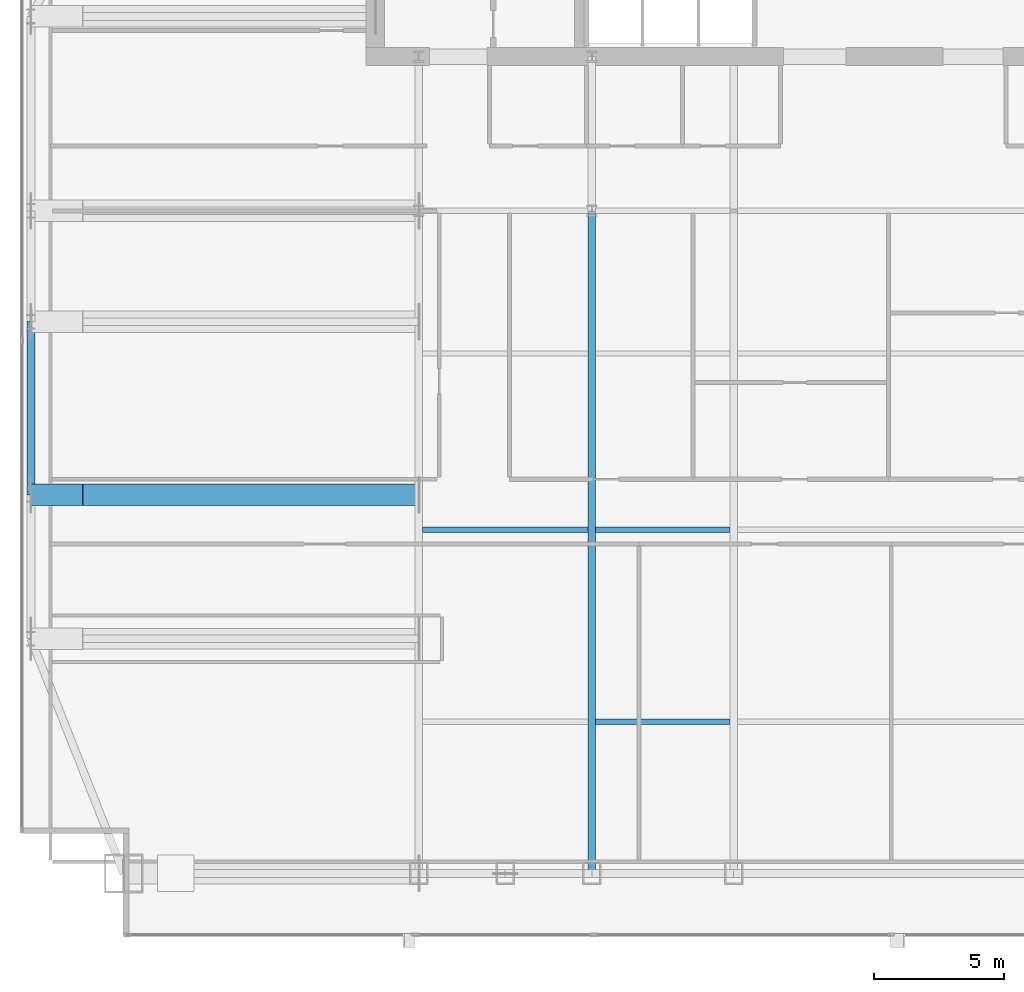
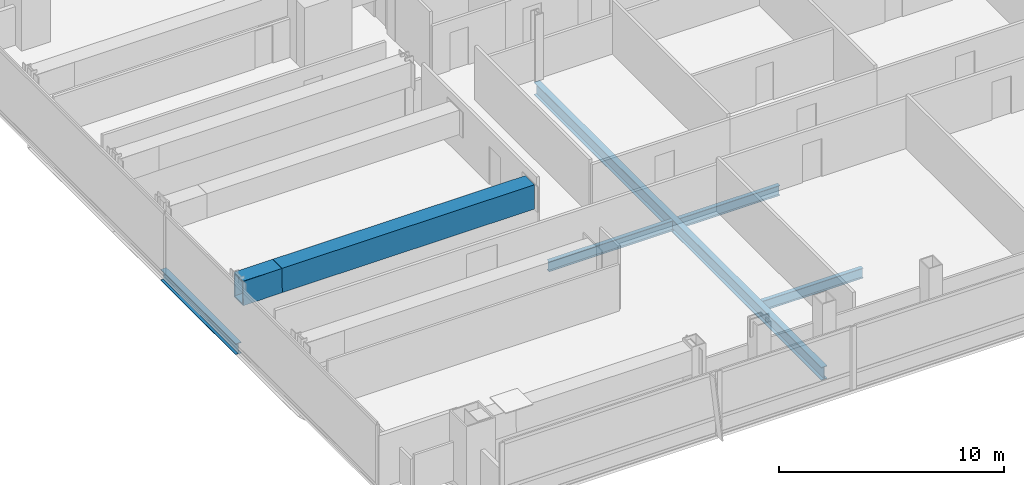
# One storey, part 9 of 30: 7 beams.
"""IFC4 building model written with IfcOpenShell, lengths in metres."""

from ifc_helpers import new_model, si_unit, direction, frame, origin, origin_2d, place, context, subcontext, project, spatial, hollow_rectangle, i_section, extrude, material, material_profile, profile_set, type_object, element, save


model = new_model("IFC4")

# Units and contexts
model_context = context("Model", 3, precision=1e-05, world=origin(), true_north=direction((0.0, 1.0)))
body_context = subcontext(model_context, "Body", "Model", "MODEL_VIEW")
ifc_project = project(units=[si_unit("LENGTHUNIT", "METRE"), si_unit("AREAUNIT", "SQUARE_METRE"), si_unit("VOLUMEUNIT", "CUBIC_METRE"), si_unit("PLANEANGLEUNIT", "RADIAN"), si_unit("MASSUNIT", "GRAM", prefix="KILO")], contexts=[model_context])

# Site, building, storey
site_placement = place(None, origin())
site = spatial("IfcSite", under=ifc_project, at=site_placement, CompositionType="ELEMENT")
building_placement = place(site_placement, origin())
building = spatial("IfcBuilding", under=site, at=building_placement, Name="Khoronbel Lancet Exchange", CompositionType="ELEMENT")
storey_placement = place(building_placement, frame((0.0, 0.0, 132.60009765625)))
storey = spatial("IfcBuildingStorey", under=building, at=storey_placement, Name="L32", CompositionType="ELEMENT", Elevation=132.60009765625)

# Beams
ifc_material_1 = material(Name="Steel S355", Category="steel")
ifc_material_profile_1 = material_profile(ifc_material_1, i_section(OverallWidth=0.300048828125, OverallDepth=0.699951171875, WebThickness=0.01708984375, FlangeThickness=0.031982421875, at=origin_2d()), Name="HEB 700")
ifc_profile_set_1 = profile_set([ifc_material_profile_1], Name="Steel S355")
beam_type_1 = type_object("IfcBeamType", Name="BM-BG3", PredefinedType="BEAM", material=ifc_profile_set_1)
beam_1_placement = place(storey_placement, frame((24.89990234375, 10.14990234375, -0.510009765625), z_axis=(0.0, 1.0, 0.0), x_axis=(-1.0, 0.0, 0.0)))
element("IfcBeam", 1, at=beam_1_placement, inside=storey, type_object=beam_type_1, Name="Level L32 south primary girder GS2", PredefinedType="BEAM", context=body_context, shape_type="SweptSolid", body=[
    extrude(i_section(OverallWidth=0.300048828125, OverallDepth=0.699951171875, WebThickness=0.01708984375, FlangeThickness=0.031982421875, at=origin_2d()), origin(), (0.0, 0.0, 1.0), 25.550048828125),
])
ifc_material_profile_2 = material_profile(ifc_material_1, i_section(OverallWidth=0.2099609375, OverallDepth=0.550048828125, WebThickness=0.010986328125, FlangeThickness=0.01708984375, at=origin_2d()), Name="IPE 550")
ifc_profile_set_2 = profile_set([ifc_material_profile_2], Name="Steel S355")
beam_type_2 = type_object("IfcBeamType", Name="BM-BJ2", PredefinedType="JOIST", material=ifc_profile_set_2)
beam_2_placement = place(storey_placement, frame((25.050048828125, 16.0, -0.43505859375), z_axis=(1.0, 0.0, 0.0), x_axis=(0.0, 1.0, 0.0)))
element("IfcBeam", 2, at=beam_2_placement, inside=storey, type_object=beam_type_2, Name="Level L32 secondary composite joist J02", PredefinedType="JOIST", context=body_context, shape_type="SweptSolid", body=[
    extrude(i_section(OverallWidth=0.2099609375, OverallDepth=0.550048828125, WebThickness=0.010986328125, FlangeThickness=0.01708984375, at=origin_2d()), origin(), (0.0, 0.0, 1.0), 5.175048828125),
])
beam_3_placement = place(storey_placement, frame((18.375, 23.39990234375, -0.43505859375), z_axis=(1.0, 0.0, 0.0), x_axis=(0.0, 1.0, 0.0)))
element("IfcBeam", 3, at=beam_3_placement, inside=storey, type_object=beam_type_2, Name="Level L32 secondary composite joist J06", PredefinedType="JOIST", context=body_context, shape_type="SweptSolid", body=[
    extrude(i_section(OverallWidth=0.2099609375, OverallDepth=0.550048828125, WebThickness=0.010986328125, FlangeThickness=0.01708984375, at=origin_2d()), origin(), (0.0, 0.0, 1.0), 6.375),
])
beam_4_placement = place(storey_placement, frame((25.050048828125, 23.39990234375, -0.43505859375), z_axis=(1.0, 0.0, 0.0), x_axis=(0.0, 1.0, 0.0)))
element("IfcBeam", 4, at=beam_4_placement, inside=storey, type_object=beam_type_2, Name="Level L32 secondary composite joist J07", PredefinedType="JOIST", context=body_context, shape_type="SweptSolid", body=[
    extrude(i_section(OverallWidth=0.2099609375, OverallDepth=0.550048828125, WebThickness=0.010986328125, FlangeThickness=0.01708984375, at=origin_2d()), origin(), (0.0, 0.0, 1.0), 5.175048828125),
])
ifc_material_profile_3 = material_profile(ifc_material_1, i_section(OverallWidth=0.300048828125, OverallDepth=0.60009765625, WebThickness=0.015380859375, FlangeThickness=0.030029296875, at=origin_2d()), Name="HEB 600")
ifc_profile_set_3 = profile_set([ifc_material_profile_3], Name="Steel S355")
beam_type_3 = type_object("IfcBeamType", Name="BM-BSP2", PredefinedType="SPANDREL", material=ifc_profile_set_3)
beam_5_placement = place(storey_placement, frame((3.27001953125, 31.425048828125, -0.460205078125), z_axis=(0.0, -1.0, 0.0), x_axis=(1.0, 0.0, 0.0)))
element("IfcBeam", 5, at=beam_5_placement, inside=storey, type_object=beam_type_3, Name="Level L32 perimeter spandrel beam SP19", PredefinedType="SPANDREL", context=body_context, shape_type="SweptSolid", body=[
    extrude(i_section(OverallWidth=0.300048828125, OverallDepth=0.60009765625, WebThickness=0.015380859375, FlangeThickness=0.030029296875, at=origin_2d()), origin(), (0.0, 0.0, 1.0), 6.675048828125),
])
ifc_material_2 = material(Name="Steel S460", Category="steel")
ifc_material_profile_4 = material_profile(ifc_material_2, hollow_rectangle(XDim=0.820068359375, YDim=1.320068359375, WallThickness=0.070068359375, at=origin_2d()), Name="BOX 820x1320x70")
ifc_profile_set_4 = profile_set([ifc_material_profile_4], Name="Steel S460")
beam_type_4 = type_object("IfcBeamType", Name="BM-TG4", PredefinedType="USERDEFINED", material=ifc_profile_set_4)
beam_6_placement = place(storey_placement, frame((3.27001953125, 24.75, 2.760009765625), z_axis=(0.999951120325, 0.0, 0.009887212005), x_axis=(0.0, 1.0, 0.0)))
element("IfcBeam", 6, at=beam_6_placement, inside=storey, type_object=beam_type_4, Name="Setback transfer knee-brace girder L32-WC-2", ObjectType="TRANSFER GIRDER", PredefinedType="USERDEFINED", context=body_context, shape_type="SweptSolid", body=[
    extrude(hollow_rectangle(XDim=0.820068359375, YDim=1.320068359375, WallThickness=0.070068359375, at=origin_2d()), origin(), (0.0, 0.0, 1.0), 2.0),
])
beam_7_placement = place(storey_placement, frame((3.27001953125, 24.75, 2.77978515625), z_axis=(1.0, 0.0, 0.0), x_axis=(0.0, 1.0, 0.0)))
element("IfcBeam", 7, at=beam_7_placement, inside=storey, type_object=beam_type_4, Name="Lens setback S460 transfer girder L32-W2", ObjectType="TRANSFER GIRDER", PredefinedType="USERDEFINED", context=body_context, shape_type="SweptSolid", body=[
    extrude(hollow_rectangle(XDim=0.820068359375, YDim=1.320068359375, WallThickness=0.070068359375, at=origin_2d()), origin(), (0.0, 0.0, 1.0), 14.955078125),
])

save(model, "model.ifc")
